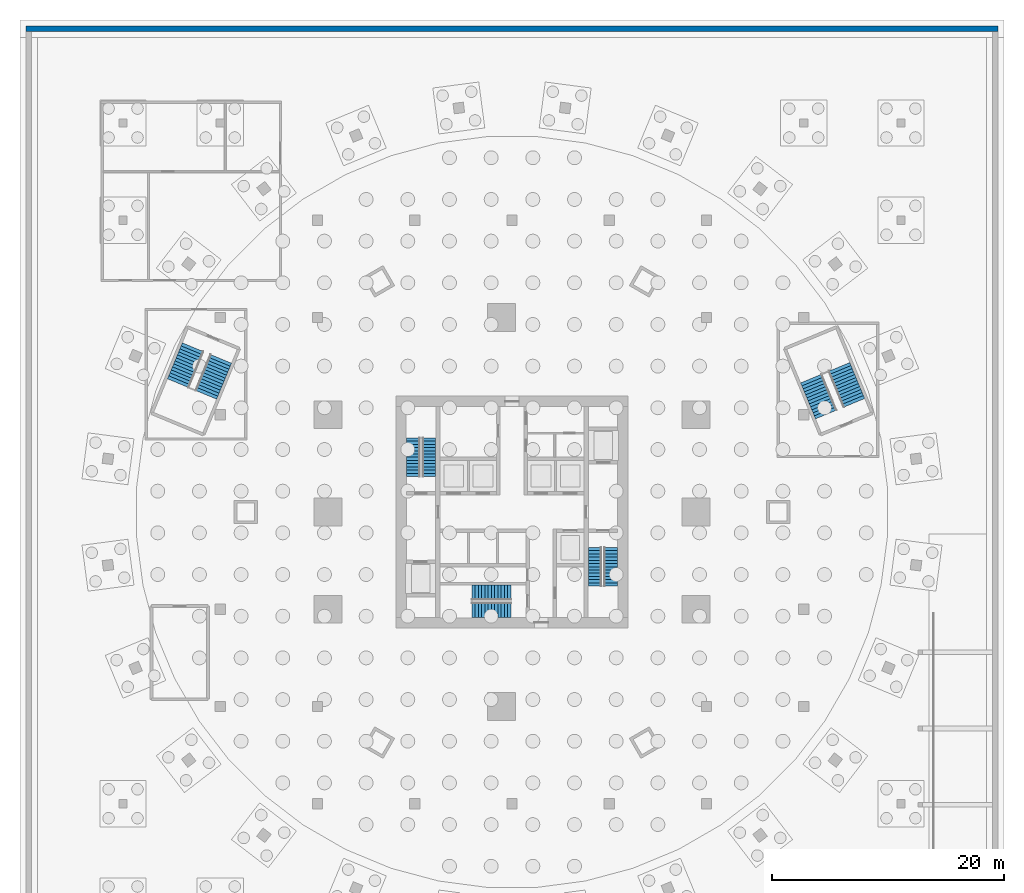
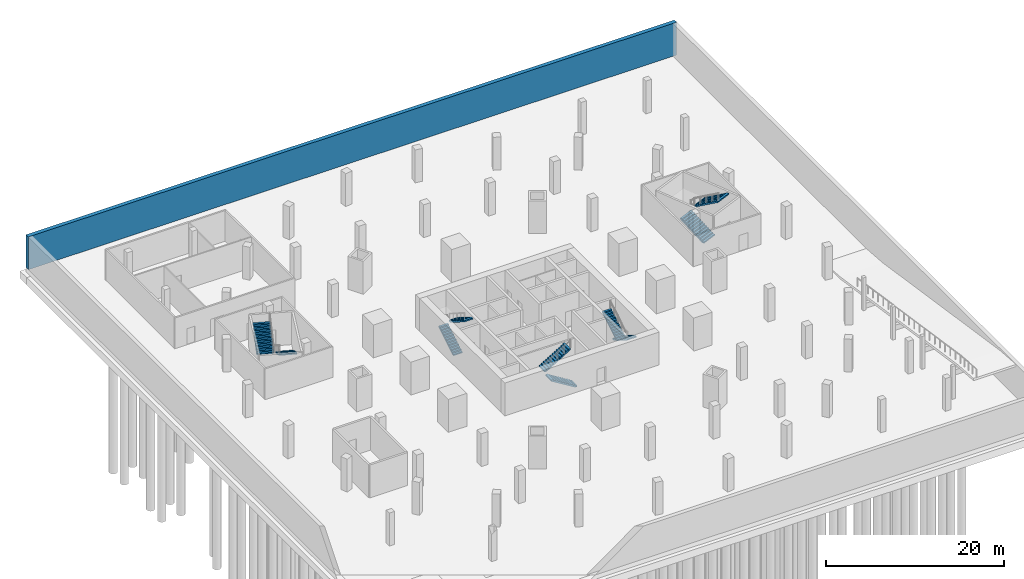
# One storey, part 9 of 12: 10 stair flights, 1 wall, 5 elements without a shape of their own.
"""IFC4 building model written with IfcOpenShell, lengths in metres."""

import ifcopenshell
import ifcopenshell.guid

model = None  # the IFC model being written
_history = None  # IfcOwnerHistory: only IFC2X3 demands one
_inside = {}  # id of a spatial element -> (the spatial element, [elements in it])
_under = {}  # id of a project, library or spatial element -> (it, [spatial elements below it])
_declared = {}  # id of a project -> (the project, [libraries it declares])
_typed = {}  # id of a type object -> (the type object, [elements of that type])
_made_of = {}  # id of a material, layer set ... -> (it, [elements and type objects made of it])


def new_model(schema):
    """Start an empty IFC model of exactly this schema.

    Asked for "IFC4X3", IfcOpenShell would pick the latest addendum, in which some entities
    have other attributes; the version numbers below select the first issue.
    IFC2X3 requires an IfcOwnerHistory on every rooted entity: one is made here for all.
    """
    global model, _history
    if schema == "IFC4X3":
        model = ifcopenshell.file(schema_version=(4, 3, 0, 0))
    else:
        model = ifcopenshell.file(schema=schema)
    _inside.clear()
    _under.clear()
    _declared.clear()
    _typed.clear()
    _made_of.clear()
    _history = None
    if model.schema == "IFC2X3":
        org = make("IfcOrganization", Name="unknown")
        user = make(
            "IfcPersonAndOrganization",
            ThePerson=make("IfcPerson", FamilyName="unknown"),
            TheOrganization=org,
        )
        app = make(
            "IfcApplication",
            ApplicationDeveloper=org,
            Version="unknown",
            ApplicationFullName="unknown",
            ApplicationIdentifier="unknown",
        )
        _history = make(
            "IfcOwnerHistory",
            OwningUser=user,
            OwningApplication=app,
            ChangeAction="ADDED",
            CreationDate=0,
        )
    return model


def make(cls, **values):
    """One entity of the class cls with the attributes given. An attribute that is None is left unset."""
    return model.create_entity(
        cls, **{name: value for name, value in values.items() if value is not None}
    )


def rooted(cls, **values):
    """An entity with a GlobalId (a new one), such as an element, a storey or a relation."""
    return make(cls, GlobalId=ifcopenshell.guid.new(), OwnerHistory=_history, **values)


def si_unit(unit_type, name, prefix=None):
    """IfcSIUnit, for example si_unit("LENGTHUNIT", "METRE", prefix="MILLI")."""
    return make("IfcSIUnit", UnitType=unit_type, Prefix=prefix, Name=name)


def assignment(units):
    """IfcUnitAssignment: the units of a project."""
    return None if units is None else make("IfcUnitAssignment", Units=units)


def point(xyz):
    """IfcCartesianPoint."""
    return None if xyz is None else make("IfcCartesianPoint", Coordinates=xyz)


def direction(xyz):
    """IfcDirection."""
    return None if xyz is None else make("IfcDirection", DirectionRatios=xyz)


def frame(location, z_axis=None, x_axis=None):
    """IfcAxis2Placement3D, a coordinate frame: its origin and axes. An axis left out is left unset."""
    return make(
        "IfcAxis2Placement3D",
        Location=point(location),
        Axis=direction(z_axis),
        RefDirection=direction(x_axis),
    )


def frame_2d(location, x_axis=None):
    """IfcAxis2Placement2D, a coordinate frame in the plane: its origin and x axis."""
    return make(
        "IfcAxis2Placement2D", Location=point(location), RefDirection=direction(x_axis)
    )


def origin():
    """The frame at (0, 0, 0) with its axes left unset."""
    return frame((0.0, 0.0, 0.0))


def place(relative_to, where):
    """IfcLocalPlacement: puts the frame where relative to a parent placement (None: the world)."""
    return make(
        "IfcLocalPlacement", PlacementRelTo=relative_to, RelativePlacement=where
    )


def context(
    kind, dimensions, precision=None, world=None, true_north=None, identifier=None
):
    """IfcGeometricRepresentationContext, for example the 3D "Model" context."""
    return make(
        "IfcGeometricRepresentationContext",
        ContextIdentifier=identifier,
        ContextType=kind,
        CoordinateSpaceDimension=dimensions,
        Precision=precision,
        WorldCoordinateSystem=world,
        TrueNorth=true_north,
    )


def subcontext(parent, identifier, kind, view, scale=None):
    """IfcGeometricRepresentationSubContext, for example "Body" below "Model"."""
    return make(
        "IfcGeometricRepresentationSubContext",
        ContextIdentifier=identifier,
        ContextType=kind,
        ParentContext=parent,
        TargetScale=scale,
        TargetView=view,
    )


def project(units=None, contexts=None):
    """IfcProject with its units and contexts."""
    return rooted(
        "IfcProject",
        Name="project",
        RepresentationContexts=contexts,
        UnitsInContext=assignment(units),
    )


def spatial(cls, under=None, at=None, **own):
    """A site, building, storey or space (cls), placed at a placement, below another one or the project."""
    s = rooted(cls, ObjectPlacement=at, **own)
    if under is not None:
        _under.setdefault(under.id(), (under, []))[1].append(s)
    return s


def polyline(points):
    """IfcPolyline through the points."""
    return make("IfcPolyline", Points=[point(p) for p in points])


def profile(cls, at=None, kind="AREA", **sizes):
    """A parametric profile (cls). Its sizes go by their IFC names, for example OverallWidth=200.0."""
    return make(cls, ProfileType=kind, Position=at, **sizes)


def rectangle(**sizes):
    """IfcRectangleProfileDef."""
    return profile("IfcRectangleProfileDef", **sizes)


def outline(outer, holes=None, kind="AREA"):
    """IfcArbitraryClosedProfileDef: a profile drawn as a closed curve; with holes, ...WithVoids."""
    if holes is None:
        return make("IfcArbitraryClosedProfileDef", ProfileType=kind, OuterCurve=outer)
    return make(
        "IfcArbitraryProfileDefWithVoids",
        ProfileType=kind,
        OuterCurve=outer,
        InnerCurves=holes,
    )


def extrude(swept, where, along, depth):
    """IfcExtrudedAreaSolid: the profile swept, set in the frame where, extruded along a direction by depth."""
    return make(
        "IfcExtrudedAreaSolid",
        SweptArea=swept,
        Position=where,
        ExtrudedDirection=direction(along),
        Depth=depth,
    )


def shape(context_of_items, identifier, shape_type, items):
    """IfcShapeRepresentation: the items that make up one representation, for example the "Body"."""
    return make(
        "IfcShapeRepresentation",
        ContextOfItems=context_of_items,
        RepresentationIdentifier=identifier,
        RepresentationType=shape_type,
        Items=items,
    )


def material(Name=None, Category=None):
    """IfcMaterial."""
    return make("IfcMaterial", Name=Name, Category=Category)


def layer(
    of_material, thickness, ventilated=None, Name=None, Category=None, Priority=None
):
    """IfcMaterialLayer: one layer of a wall or slab, of a material (None: an air gap)."""
    return make(
        "IfcMaterialLayer",
        Material=of_material,
        LayerThickness=thickness,
        IsVentilated=ventilated,
        Name=Name,
        Category=Category,
        Priority=Priority,
    )


def layer_set(layers, Name=None):
    """IfcMaterialLayerSet."""
    return make("IfcMaterialLayerSet", MaterialLayers=layers, LayerSetName=Name)


def made_of(thing, what):
    """Note that an element or type object is made of a material, layer set ...; save() writes the relation."""
    if what is not None:
        _made_of.setdefault(what.id(), (what, []))[1].append(thing)
    return thing


def type_object(cls, material=None, **own):
    """A type object (cls), such as IfcWallType, which elements share."""
    return made_of(rooted(cls, **own), material)


def element(
    cls,
    number,
    at=None,
    inside=None,
    cuts=None,
    type_object=None,
    material=None,
    context=None,
    identifier="Body",
    shape_type=None,
    held_by="IfcProductDefinitionShape",
    body=None,
    shapes=None,
    **own,
):
    """One element of the class cls, such as IfcWall. Its Tag is "e" and its number.

    at: its placement. inside: the storey or other place that contains it. cuts: it is an
    opening in that element (IfcRelVoidsElement). A single representation is given by context,
    identifier, shape_type and body (its items); several are given by shapes. held_by: the class
    of the entity that holds the representations. save() writes the other relations.
    """
    e = rooted(cls, Tag="e%d" % number, ObjectPlacement=at, **own)
    if body is not None:
        shapes = [shape(context, identifier, shape_type, body)]
    if shapes is not None:
        e.Representation = make(held_by, Representations=shapes)
    if inside is not None:
        _inside.setdefault(inside.id(), (inside, []))[1].append(e)
    if cuts is not None:
        rooted(
            "IfcRelVoidsElement", RelatingBuildingElement=cuts, RelatedOpeningElement=e
        )
    if type_object is not None:
        _typed.setdefault(type_object.id(), (type_object, []))[1].append(e)
    return made_of(e, material)


def aggregate(whole, parts):
    """IfcRelAggregates: a whole, such as a stair, and the parts it consists of."""
    return rooted("IfcRelAggregates", RelatingObject=whole, RelatedObjects=parts)


def save(model, path):
    """Write the relations noted so far, then the file.

    IfcRelAggregates (storeys below a building ...), IfcRelContainedInSpatialStructure (elements
    in a storey), IfcRelDefinesByType, IfcRelAssociatesMaterial and IfcRelDeclares: one each for
    every whole, place, type object, material and project.
    """
    for whole, parts in _under.values():
        aggregate(whole, parts)
    for where, things in _inside.values():
        rooted(
            "IfcRelContainedInSpatialStructure",
            RelatedElements=things,
            RelatingStructure=where,
        )
    for kind, things in _typed.values():
        rooted("IfcRelDefinesByType", RelatedObjects=things, RelatingType=kind)
    for what, things in _made_of.values():
        rooted("IfcRelAssociatesMaterial", RelatedObjects=things, RelatingMaterial=what)
    for by, libraries in _declared.values():
        rooted("IfcRelDeclares", RelatingContext=by, RelatedDefinitions=libraries)
    model.write(path)


model = new_model("IFC4")

# Units and contexts
model_context = context("Model", 3, precision=1e-05, world=origin(), true_north=direction((0.0, 1.0)))
body_context = subcontext(model_context, "Body", "Model", "MODEL_VIEW")
ifc_project = project(units=[si_unit("LENGTHUNIT", "METRE"), si_unit("AREAUNIT", "SQUARE_METRE"), si_unit("VOLUMEUNIT", "CUBIC_METRE"), si_unit("PLANEANGLEUNIT", "RADIAN"), si_unit("MASSUNIT", "GRAM", prefix="KILO")], contexts=[model_context])

# Site, building, storey
site_placement = place(None, origin())
site = spatial("IfcSite", under=ifc_project, at=site_placement, CompositionType="ELEMENT")
building_placement = place(site_placement, origin())
building = spatial("IfcBuilding", under=site, at=building_placement, Name="Golbaran Civic Tower", CompositionType="ELEMENT")
storey_placement = place(building_placement, frame((0.0, 0.0, -13.5)))
storey = spatial("IfcBuildingStorey", under=building, at=storey_placement, Name="B3", CompositionType="ELEMENT", Elevation=-13.5)

# Wall
ifc_material_1 = material(Name="Concrete C50/60", Category="concrete")
ifc_layer = layer(ifc_material_1, 0.5, Name="Concrete C50/60")
ifc_layer_set = layer_set([ifc_layer], Name="Concrete C50/60")
wall_type = type_object("IfcWallType", Name="BASEMENT RETAINING WALL CONCRETE 500", PredefinedType="SOLIDWALL", material=ifc_layer_set)
wall_placement = place(storey_placement, frame((-42.0, 41.75, 0.0), z_axis=(0.0, 0.0, 1.0), x_axis=(1.0, 0.0, 0.0)))
element("IfcWall", 1, at=wall_placement, inside=storey, type_object=wall_type, Name="Basement retaining wall N B3", PredefinedType="SOLIDWALL", context=body_context, shape_type="SweptSolid", body=[
    extrude(rectangle(XDim=84.0, YDim=0.5, at=frame_2d((42.0, 0.0))), origin(), (0.0, 0.0, 1.0), 4.5),
])

# Stair, stair flights
ifc_material_2 = material(Name="Concrete C35/45", Category="concrete")
stair_type_1 = type_object("IfcStairType", Name="EXIT STAIR 2500 x 7350, 4500 RISE", PredefinedType="HALF_TURN_STAIR", material=ifc_material_2)
stair_1_placement = place(storey_placement, origin())
stair_1 = element("IfcStair", 2, at=stair_1_placement, inside=storey, type_object=stair_type_1, Name="Stair S1 B3", PredefinedType="HALF_TURN_STAIR")
stair_flight_type_1 = type_object("IfcStairFlightType", Name="STAIR FLIGHT 1150 WIDE", PredefinedType="STRAIGHT", material=ifc_material_2)
stair_flight_1_placement = place(storey_placement, frame((-8.52490234375, 3.050048828125, 0.0), z_axis=(0.0, 0.0, 1.0), x_axis=(0.0, 1.0, 0.0)))
stair_flight_1 = element("IfcStairFlight", 3, at=stair_flight_1_placement, type_object=stair_flight_type_1, Name="ST25074-45 flight 1", NumberOfRisers=13, NumberOfTreads=12, PredefinedType="STRAIGHT", RiserHeight=0.173076923, TreadLength=0.28, context=body_context, shape_type="SweptSolid", body=[
    extrude(outline(polyline([(0.0, 0.0), (0.0, 0.173095703125), (0.280029296875, 0.173095703125), (0.280029296875, 0.34619140625), (0.56005859375, 0.34619140625), (0.56005859375, 0.519287109375), (0.840087890625, 0.519287109375), (0.840087890625, 0.6923828125), (1.1201171875, 0.6923828125), (1.1201171875, 0.865478515625), (1.39990234375, 0.865478515625), (1.39990234375, 1.03857421875), (1.679931640625, 1.03857421875), (1.679931640625, 1.21142578125), (1.9599609375, 1.21142578125), (1.9599609375, 1.384521484375), (2.239990234375, 1.384521484375), (2.239990234375, 1.5576171875), (2.52001953125, 1.5576171875), (2.52001953125, 1.730712890625), (2.800048828125, 1.730712890625), (2.800048828125, 1.90380859375), (3.080078125, 1.90380859375), (3.080078125, 2.076904296875), (3.360107421875, 2.076904296875), (3.360107421875, 2.25), (3.360107421875, 1.900634765625), (0.28515625, 0.0), (0.0, 0.0)])), frame((0.0, 0.574951171875, 0.0), z_axis=(0.0, -1.0, 0.0), x_axis=(1.0, 0.0, 0.0)), (0.0, 0.0, 1.0), 1.14990234375),
])
stair_flight_2_placement = place(storey_placement, frame((-7.175048828125, 6.409912109375, 2.25), z_axis=(0.0, 0.0, 1.0), x_axis=(0.0, -1.0, 0.0)))
stair_flight_2 = element("IfcStairFlight", 4, at=stair_flight_2_placement, type_object=stair_flight_type_1, Name="ST25074-45 flight 2", NumberOfRisers=13, NumberOfTreads=12, PredefinedType="STRAIGHT", RiserHeight=0.173076923, TreadLength=0.28, context=body_context, shape_type="SweptSolid", body=[
    extrude(outline(polyline([(0.0, 0.0), (0.0, 0.173095703125), (0.280029296875, 0.173095703125), (0.280029296875, 0.34619140625), (0.56005859375, 0.34619140625), (0.56005859375, 0.519287109375), (0.840087890625, 0.519287109375), (0.840087890625, 0.6923828125), (1.1201171875, 0.6923828125), (1.1201171875, 0.865478515625), (1.39990234375, 0.865478515625), (1.39990234375, 1.03857421875), (1.679931640625, 1.03857421875), (1.679931640625, 1.21142578125), (1.9599609375, 1.21142578125), (1.9599609375, 1.384521484375), (2.239990234375, 1.384521484375), (2.239990234375, 1.5576171875), (2.52001953125, 1.5576171875), (2.52001953125, 1.730712890625), (2.800048828125, 1.730712890625), (2.800048828125, 1.90380859375), (3.080078125, 1.90380859375), (3.080078125, 2.076904296875), (3.360107421875, 2.076904296875), (3.360107421875, 2.25), (3.360107421875, 1.900634765625), (0.28515625, 0.0), (0.0, 0.0)])), frame((0.0, 0.574951171875, 0.0), z_axis=(0.0, -1.0, 0.0), x_axis=(1.0, 0.0, 0.0)), (0.0, 0.0, 1.0), 1.14990234375),
])
aggregate(stair_1, [stair_flight_1, stair_flight_2])

stair_2_placement = place(storey_placement, origin())
stair_2 = element("IfcStair", 5, at=stair_2_placement, inside=storey, type_object=stair_type_1, Name="Stair S2 B3", PredefinedType="HALF_TURN_STAIR")
stair_flight_3_placement = place(storey_placement, frame((8.52490234375, -3.050048828125, 0.0), z_axis=(0.0, 0.0, 1.0), x_axis=(0.0, -1.0, 0.0)))
stair_flight_3 = element("IfcStairFlight", 6, at=stair_flight_3_placement, type_object=stair_flight_type_1, Name="ST25074-45 flight 1", NumberOfRisers=13, NumberOfTreads=12, PredefinedType="STRAIGHT", RiserHeight=0.173076923, TreadLength=0.28, context=body_context, shape_type="SweptSolid", body=[
    extrude(outline(polyline([(0.0, 0.0), (0.0, 0.173095703125), (0.280029296875, 0.173095703125), (0.280029296875, 0.34619140625), (0.56005859375, 0.34619140625), (0.56005859375, 0.519287109375), (0.840087890625, 0.519287109375), (0.840087890625, 0.6923828125), (1.1201171875, 0.6923828125), (1.1201171875, 0.865478515625), (1.39990234375, 0.865478515625), (1.39990234375, 1.03857421875), (1.679931640625, 1.03857421875), (1.679931640625, 1.21142578125), (1.9599609375, 1.21142578125), (1.9599609375, 1.384521484375), (2.239990234375, 1.384521484375), (2.239990234375, 1.5576171875), (2.52001953125, 1.5576171875), (2.52001953125, 1.730712890625), (2.800048828125, 1.730712890625), (2.800048828125, 1.90380859375), (3.080078125, 1.90380859375), (3.080078125, 2.076904296875), (3.360107421875, 2.076904296875), (3.360107421875, 2.25), (3.360107421875, 1.900634765625), (0.28515625, 0.0), (0.0, 0.0)])), frame((0.0, 0.574951171875, 0.0), z_axis=(0.0, -1.0, 0.0), x_axis=(1.0, 0.0, 0.0)), (0.0, 0.0, 1.0), 1.14990234375),
])
stair_flight_4_placement = place(storey_placement, frame((7.175048828125, -6.409912109375, 2.25), z_axis=(0.0, 0.0, 1.0), x_axis=(0.0, 1.0, 0.0)))
stair_flight_4 = element("IfcStairFlight", 7, at=stair_flight_4_placement, type_object=stair_flight_type_1, Name="ST25074-45 flight 2", NumberOfRisers=13, NumberOfTreads=12, PredefinedType="STRAIGHT", RiserHeight=0.173076923, TreadLength=0.28, context=body_context, shape_type="SweptSolid", body=[
    extrude(outline(polyline([(0.0, 0.0), (0.0, 0.173095703125), (0.280029296875, 0.173095703125), (0.280029296875, 0.34619140625), (0.56005859375, 0.34619140625), (0.56005859375, 0.519287109375), (0.840087890625, 0.519287109375), (0.840087890625, 0.6923828125), (1.1201171875, 0.6923828125), (1.1201171875, 0.865478515625), (1.39990234375, 0.865478515625), (1.39990234375, 1.03857421875), (1.679931640625, 1.03857421875), (1.679931640625, 1.21142578125), (1.9599609375, 1.21142578125), (1.9599609375, 1.384521484375), (2.239990234375, 1.384521484375), (2.239990234375, 1.5576171875), (2.52001953125, 1.5576171875), (2.52001953125, 1.730712890625), (2.800048828125, 1.730712890625), (2.800048828125, 1.90380859375), (3.080078125, 1.90380859375), (3.080078125, 2.076904296875), (3.360107421875, 2.076904296875), (3.360107421875, 2.25), (3.360107421875, 1.900634765625), (0.28515625, 0.0), (0.0, 0.0)])), frame((0.0, 0.574951171875, 0.0), z_axis=(0.0, -1.0, 0.0), x_axis=(1.0, 0.0, 0.0)), (0.0, 0.0, 1.0), 1.14990234375),
])
aggregate(stair_2, [stair_flight_3, stair_flight_4])

stair_type_2 = type_object("IfcStairType", Name="EXIT STAIR 2800 x 7400, 4500 RISE", PredefinedType="HALF_TURN_STAIR", material=ifc_material_2)
stair_3_placement = place(storey_placement, origin())
stair_3 = element("IfcStair", 8, at=stair_3_placement, inside=storey, type_object=stair_type_2, Name="Stair S3 B3", PredefinedType="HALF_TURN_STAIR")
stair_flight_type_2 = type_object("IfcStairFlightType", Name="STAIR FLIGHT 1300 WIDE", PredefinedType="STRAIGHT", material=ifc_material_2)
stair_flight_5_placement = place(storey_placement, frame((-0.10009765625, -8.449951171875, 0.0), z_axis=(0.0, 0.0, 1.0), x_axis=(-1.0, 0.0, 0.0)))
stair_flight_5 = element("IfcStairFlight", 9, at=stair_flight_5_placement, type_object=stair_flight_type_2, Name="ST28074-45 flight 1", NumberOfRisers=13, NumberOfTreads=12, PredefinedType="STRAIGHT", RiserHeight=0.173076923, TreadLength=0.28, context=body_context, shape_type="SweptSolid", body=[
    extrude(outline(polyline([(0.0, 0.0), (0.0, 0.173095703125), (0.280029296875, 0.173095703125), (0.280029296875, 0.34619140625), (0.56005859375, 0.34619140625), (0.56005859375, 0.519287109375), (0.840087890625, 0.519287109375), (0.840087890625, 0.6923828125), (1.1201171875, 0.6923828125), (1.1201171875, 0.865478515625), (1.39990234375, 0.865478515625), (1.39990234375, 1.03857421875), (1.679931640625, 1.03857421875), (1.679931640625, 1.21142578125), (1.9599609375, 1.21142578125), (1.9599609375, 1.384521484375), (2.239990234375, 1.384521484375), (2.239990234375, 1.5576171875), (2.52001953125, 1.5576171875), (2.52001953125, 1.730712890625), (2.800048828125, 1.730712890625), (2.800048828125, 1.90380859375), (3.080078125, 1.90380859375), (3.080078125, 2.076904296875), (3.360107421875, 2.076904296875), (3.360107421875, 2.25), (3.360107421875, 1.900634765625), (0.28515625, 0.0), (0.0, 0.0)])), frame((0.0, 0.64990234375, 0.0), z_axis=(0.0, -1.0, 0.0), x_axis=(1.0, 0.0, 0.0)), (0.0, 0.0, 1.0), 1.300048828125),
])
stair_flight_6_placement = place(storey_placement, frame((-3.4599609375, -6.949951171875, 2.25), z_axis=(0.0, 0.0, 1.0), x_axis=(1.0, 0.0, 0.0)))
stair_flight_6 = element("IfcStairFlight", 10, at=stair_flight_6_placement, type_object=stair_flight_type_2, Name="ST28074-45 flight 2", NumberOfRisers=13, NumberOfTreads=12, PredefinedType="STRAIGHT", RiserHeight=0.173076923, TreadLength=0.28, context=body_context, shape_type="SweptSolid", body=[
    extrude(outline(polyline([(0.0, 0.0), (0.0, 0.173095703125), (0.280029296875, 0.173095703125), (0.280029296875, 0.34619140625), (0.56005859375, 0.34619140625), (0.56005859375, 0.519287109375), (0.840087890625, 0.519287109375), (0.840087890625, 0.6923828125), (1.1201171875, 0.6923828125), (1.1201171875, 0.865478515625), (1.39990234375, 0.865478515625), (1.39990234375, 1.03857421875), (1.679931640625, 1.03857421875), (1.679931640625, 1.21142578125), (1.9599609375, 1.21142578125), (1.9599609375, 1.384521484375), (2.239990234375, 1.384521484375), (2.239990234375, 1.5576171875), (2.52001953125, 1.5576171875), (2.52001953125, 1.730712890625), (2.800048828125, 1.730712890625), (2.800048828125, 1.90380859375), (3.080078125, 1.90380859375), (3.080078125, 2.076904296875), (3.360107421875, 2.076904296875), (3.360107421875, 2.25), (3.360107421875, 1.900634765625), (0.28515625, 0.0), (0.0, 0.0)])), frame((0.0, 0.64990234375, 0.0), z_axis=(0.0, -1.0, 0.0), x_axis=(1.0, 0.0, 0.0)), (0.0, 0.0, 1.0), 1.300048828125),
])
aggregate(stair_3, [stair_flight_5, stair_flight_6])

stair_type_3 = type_object("IfcStairType", Name="EXIT STAIR 4600 x 7800, 4500 RISE", PredefinedType="HALF_TURN_STAIR", material=ifc_material_2)
stair_4_placement = place(storey_placement, origin())
stair_4 = element("IfcStair", 11, at=stair_4_placement, inside=storey, type_object=stair_type_3, Name="Stair P1 B3", PredefinedType="HALF_TURN_STAIR")
stair_flight_type_3 = type_object("IfcStairFlightType", Name="STAIR FLIGHT 2000 WIDE", PredefinedType="STRAIGHT", material=ifc_material_2)
stair_flight_7_placement = place(storey_placement, frame((27.140869140625, 8.427734375, 0.0), z_axis=(0.0, 0.0, 1.0), x_axis=(-0.382683432365, 0.923879532511, 0.0)))
stair_flight_7 = element("IfcStairFlight", 12, at=stair_flight_7_placement, type_object=stair_flight_type_3, Name="ST46078-45 flight 1", NumberOfRisers=13, NumberOfTreads=12, PredefinedType="STRAIGHT", RiserHeight=0.173076923, TreadLength=0.28, context=body_context, shape_type="SweptSolid", body=[
    extrude(outline(polyline([(0.0, 0.0), (0.0, 0.173095703125), (0.280029296875, 0.173095703125), (0.280029296875, 0.34619140625), (0.56005859375, 0.34619140625), (0.56005859375, 0.519287109375), (0.840087890625, 0.519287109375), (0.840087890625, 0.6923828125), (1.1201171875, 0.6923828125), (1.1201171875, 0.865478515625), (1.39990234375, 0.865478515625), (1.39990234375, 1.03857421875), (1.679931640625, 1.03857421875), (1.679931640625, 1.21142578125), (1.9599609375, 1.21142578125), (1.9599609375, 1.384521484375), (2.239990234375, 1.384521484375), (2.239990234375, 1.5576171875), (2.52001953125, 1.5576171875), (2.52001953125, 1.730712890625), (2.800048828125, 1.730712890625), (2.800048828125, 1.90380859375), (3.080078125, 1.90380859375), (3.080078125, 2.076904296875), (3.360107421875, 2.076904296875), (3.360107421875, 2.25), (3.360107421875, 1.900634765625), (0.28515625, 0.0), (0.0, 0.0)])), frame((0.0, 1.0, 0.0), z_axis=(0.0, -1.0, 0.0), x_axis=(1.0, 0.0, 0.0)), (0.0, 0.0, 1.0), 2.0),
])
stair_flight_8_placement = place(storey_placement, frame((28.257080078125, 12.527099609375, 2.25), z_axis=(0.0, 0.0, 1.0), x_axis=(0.382683432365, -0.923879532511, 0.0)))
stair_flight_8 = element("IfcStairFlight", 13, at=stair_flight_8_placement, type_object=stair_flight_type_3, Name="ST46078-45 flight 2", NumberOfRisers=13, NumberOfTreads=12, PredefinedType="STRAIGHT", RiserHeight=0.173076923, TreadLength=0.28, context=body_context, shape_type="SweptSolid", body=[
    extrude(outline(polyline([(0.0, 0.0), (0.0, 0.173095703125), (0.280029296875, 0.173095703125), (0.280029296875, 0.34619140625), (0.56005859375, 0.34619140625), (0.56005859375, 0.519287109375), (0.840087890625, 0.519287109375), (0.840087890625, 0.6923828125), (1.1201171875, 0.6923828125), (1.1201171875, 0.865478515625), (1.39990234375, 0.865478515625), (1.39990234375, 1.03857421875), (1.679931640625, 1.03857421875), (1.679931640625, 1.21142578125), (1.9599609375, 1.21142578125), (1.9599609375, 1.384521484375), (2.239990234375, 1.384521484375), (2.239990234375, 1.5576171875), (2.52001953125, 1.5576171875), (2.52001953125, 1.730712890625), (2.800048828125, 1.730712890625), (2.800048828125, 1.90380859375), (3.080078125, 1.90380859375), (3.080078125, 2.076904296875), (3.360107421875, 2.076904296875), (3.360107421875, 2.25), (3.360107421875, 1.900634765625), (0.28515625, 0.0), (0.0, 0.0)])), frame((0.0, 1.0, 0.0), z_axis=(0.0, -1.0, 0.0), x_axis=(1.0, 0.0, 0.0)), (0.0, 0.0, 1.0), 2.0),
])
aggregate(stair_4, [stair_flight_7, stair_flight_8])

stair_5_placement = place(storey_placement, origin())
stair_5 = element("IfcStair", 14, at=stair_5_placement, inside=storey, type_object=stair_type_3, Name="Stair P2 B3", PredefinedType="HALF_TURN_STAIR")
stair_flight_9_placement = place(storey_placement, frame((-25.15087890625, 13.23193359375, 0.0), z_axis=(0.0, 0.0, 1.0), x_axis=(-0.382683432365, -0.923879532511, 0.0)))
stair_flight_9 = element("IfcStairFlight", 15, at=stair_flight_9_placement, type_object=stair_flight_type_3, Name="ST46078-45 flight 1", NumberOfRisers=13, NumberOfTreads=12, PredefinedType="STRAIGHT", RiserHeight=0.173076923, TreadLength=0.28, context=body_context, shape_type="SweptSolid", body=[
    extrude(outline(polyline([(0.0, 0.0), (0.0, 0.173095703125), (0.280029296875, 0.173095703125), (0.280029296875, 0.34619140625), (0.56005859375, 0.34619140625), (0.56005859375, 0.519287109375), (0.840087890625, 0.519287109375), (0.840087890625, 0.6923828125), (1.1201171875, 0.6923828125), (1.1201171875, 0.865478515625), (1.39990234375, 0.865478515625), (1.39990234375, 1.03857421875), (1.679931640625, 1.03857421875), (1.679931640625, 1.21142578125), (1.9599609375, 1.21142578125), (1.9599609375, 1.384521484375), (2.239990234375, 1.384521484375), (2.239990234375, 1.5576171875), (2.52001953125, 1.5576171875), (2.52001953125, 1.730712890625), (2.800048828125, 1.730712890625), (2.800048828125, 1.90380859375), (3.080078125, 1.90380859375), (3.080078125, 2.076904296875), (3.360107421875, 2.076904296875), (3.360107421875, 2.25), (3.360107421875, 1.900634765625), (0.28515625, 0.0), (0.0, 0.0)])), frame((0.0, 1.0, 0.0), z_axis=(0.0, -1.0, 0.0), x_axis=(1.0, 0.0, 0.0)), (0.0, 0.0, 1.0), 2.0),
])
stair_flight_10_placement = place(storey_placement, frame((-28.838623046875, 11.122802734375, 2.25), z_axis=(0.0, 0.0, 1.0), x_axis=(0.382683432365, 0.923879532511, 0.0)))
stair_flight_10 = element("IfcStairFlight", 16, at=stair_flight_10_placement, type_object=stair_flight_type_3, Name="ST46078-45 flight 2", NumberOfRisers=13, NumberOfTreads=12, PredefinedType="STRAIGHT", RiserHeight=0.173076923, TreadLength=0.28, context=body_context, shape_type="SweptSolid", body=[
    extrude(outline(polyline([(0.0, 0.0), (0.0, 0.173095703125), (0.280029296875, 0.173095703125), (0.280029296875, 0.34619140625), (0.56005859375, 0.34619140625), (0.56005859375, 0.519287109375), (0.840087890625, 0.519287109375), (0.840087890625, 0.6923828125), (1.1201171875, 0.6923828125), (1.1201171875, 0.865478515625), (1.39990234375, 0.865478515625), (1.39990234375, 1.03857421875), (1.679931640625, 1.03857421875), (1.679931640625, 1.21142578125), (1.9599609375, 1.21142578125), (1.9599609375, 1.384521484375), (2.239990234375, 1.384521484375), (2.239990234375, 1.5576171875), (2.52001953125, 1.5576171875), (2.52001953125, 1.730712890625), (2.800048828125, 1.730712890625), (2.800048828125, 1.90380859375), (3.080078125, 1.90380859375), (3.080078125, 2.076904296875), (3.360107421875, 2.076904296875), (3.360107421875, 2.25), (3.360107421875, 1.900634765625), (0.28515625, 0.0), (0.0, 0.0)])), frame((0.0, 1.0, 0.0), z_axis=(0.0, -1.0, 0.0), x_axis=(1.0, 0.0, 0.0)), (0.0, 0.0, 1.0), 2.0),
])
aggregate(stair_5, [stair_flight_9, stair_flight_10])

save(model, "model.ifc")
